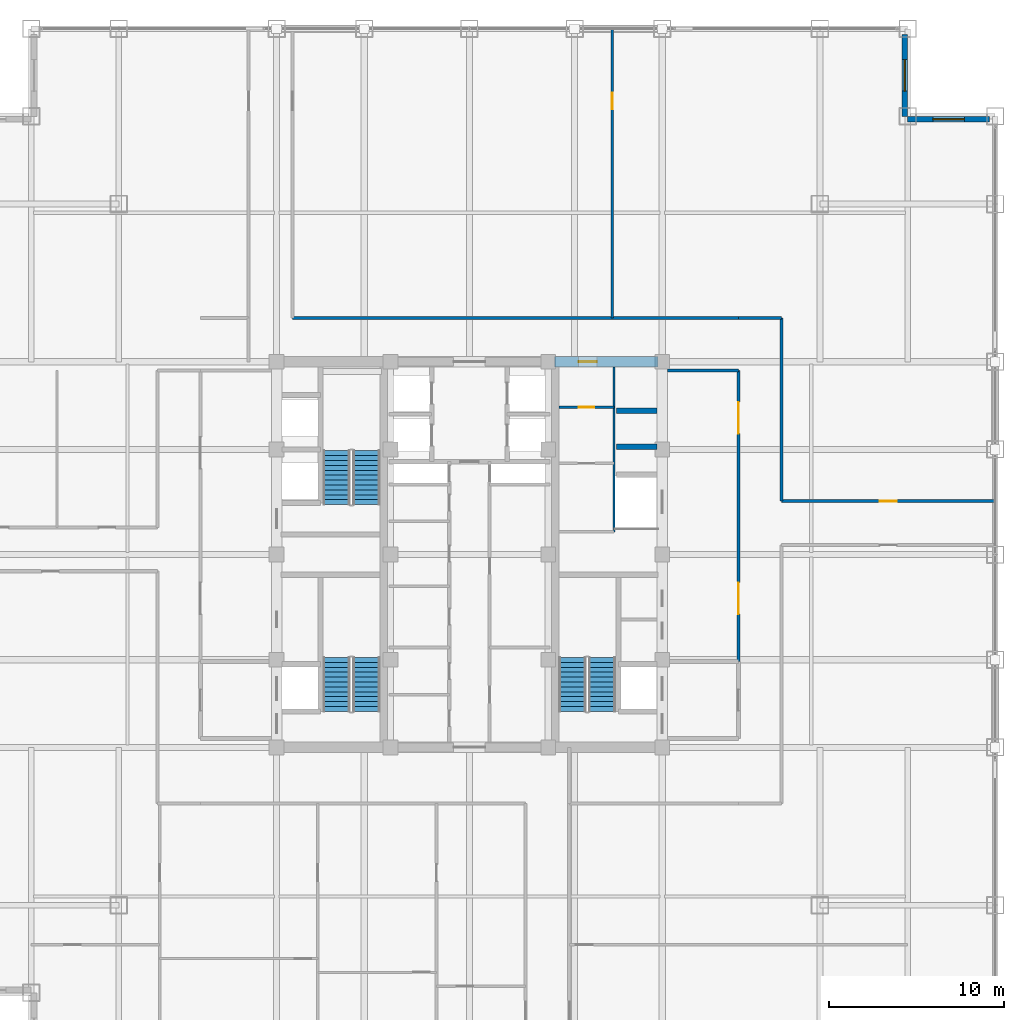
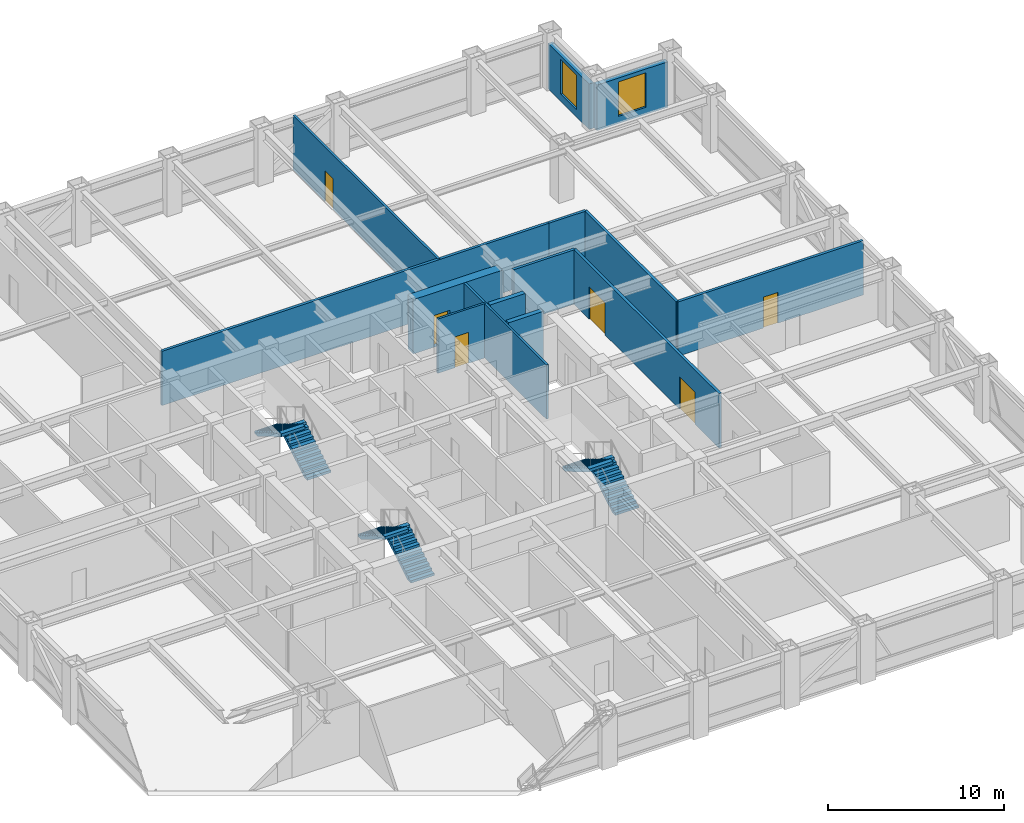
# One storey, part 23 of 24: 14 walls, 6 doors, 6 stair flights, 2 windows, 8 openings, 3 elements without a shape of their own.
"""IFC4 building model written with IfcOpenShell, lengths in metres."""

from ifc_helpers import new_model, si_unit, direction, frame, frame_2d, origin, place, context, subcontext, project, spatial, polyline, rectangle, outline, extrude, source, transform, mapped, material, layer, layer_set, type_object, element, fill, aggregate, save


model = new_model("IFC4")

# Units and contexts
model_context = context("Model", 3, precision=1e-05, world=origin(), true_north=direction((0.0, 1.0)))
body_context = subcontext(model_context, "Body", "Model", "MODEL_VIEW")
ifc_project = project(units=[si_unit("LENGTHUNIT", "METRE"), si_unit("AREAUNIT", "SQUARE_METRE"), si_unit("VOLUMEUNIT", "CUBIC_METRE"), si_unit("PLANEANGLEUNIT", "RADIAN"), si_unit("MASSUNIT", "GRAM", prefix="KILO")], contexts=[model_context])

# Site, building, storey
site_placement = place(None, origin())
site = spatial("IfcSite", under=ifc_project, at=site_placement, CompositionType="ELEMENT")
building_placement = place(site_placement, origin())
building = spatial("IfcBuilding", under=site, at=building_placement, Name="Khorayat Bourse Tower", CompositionType="ELEMENT")
storey_placement = place(building_placement, frame((0.0, 0.0, 219.10009765625)))
storey = spatial("IfcBuildingStorey", under=building, at=storey_placement, Name="L51", CompositionType="ELEMENT", Elevation=219.10009765625)

# Wall, opening, door
ifc_material_1 = material(Name="Concrete C60/75", Category="concrete")
ifc_layer_1 = layer(ifc_material_1, 0.60009765625)
ifc_layer_set_1 = layer_set([ifc_layer_1], Name="Concrete C60/75")
wall_type_1 = type_object("IfcWallType", Name="WAL-CORE-600", PredefinedType="SHEAR", material=ifc_layer_set_1)
shared_shape_1 = source(origin(), body_context, "Body", "SweptSolid", [
    extrude(rectangle(XDim=5.89990234375, YDim=0.60009765625, at=frame_2d((2.949951171875, 0.0))), origin(), (0.0, 0.0, 1.0), 3.77978515625),
])
wall_1_placement = place(storey_placement, frame((4.85009765625, 11.0, 0.0), z_axis=(0.0, 0.0, 1.0), x_axis=(1.0, 0.0, 0.0)))
wall_1 = element("IfcWall", 1, at=wall_1_placement, inside=storey, type_object=wall_type_1, Name="L51 Core Shear Wall PIER-EN", PredefinedType="SHEAR", context=body_context, shape_type="MappedRepresentation", body=[
    mapped(shared_shape_1, transform((0.0, 0.0, 0.0), scale=1.0)),
])
shared_shape_2 = source(origin(), body_context, "Body", "SweptSolid", [
    extrude(rectangle(XDim=1.050048828125, YDim=2.199951171875, at=frame_2d((0.52490234375, 1.10009765625))), frame((0.0, 0.31005859375, 0.0), z_axis=(0.0, -1.0, 0.0), x_axis=(1.0, 0.0, 0.0)), (0.0, 0.0, 1.0), 0.6201171875),
])
opening_1_placement = place(wall_1_placement, frame((1.375, 0.0, 0.0)))
opening_1 = element("IfcOpeningElement", 2, at=opening_1_placement, cuts=wall_1, Name="Opening DI-04", PredefinedType="OPENING", context=body_context, shape_type="MappedRepresentation", body=[
    mapped(shared_shape_2, transform((0.0, 0.0, 0.0), scale=1.0)),
])
ifc_material_2 = material(Name="Fire-rated oak veneer suite entrance door")
door_type_1 = type_object("IfcDoorType", Name="DR-INT-SUITE-1050", OperationType="NOTDEFINED", PredefinedType="DOOR", material=ifc_material_2)
shared_shape_3 = source(origin(), body_context, "Body", "SweptSolid", [
    extrude(rectangle(XDim=1.050048828125, YDim=2.199951171875, at=frame_2d((0.52490234375, 1.10009765625))), frame((0.0, 0.02490234375, 0.0), z_axis=(0.0, -1.0, 0.0), x_axis=(1.0, 0.0, 0.0)), (0.0, 0.0, 1.0), 0.050048828125),
])
door_1_placement = place(opening_1_placement, origin())
door_1 = element("IfcDoor", 3, at=door_1_placement, inside=storey, type_object=door_type_1, Name="L51 Core Washroom Lobby Door", OperationType="SINGLE_SWING_LEFT", OverallHeight=2.199951171875, OverallWidth=1.050048828125, PredefinedType="DOOR", context=body_context, shape_type="MappedRepresentation", body=[
    mapped(shared_shape_3, transform((0.0, 0.0, 0.0), scale=1.0)),
])
fill(opening_1, door_1)

# Wall, opening, window
ifc_material_3 = material(Name="Precast concrete C45/55", Category="concrete")
ifc_layer_2 = layer(ifc_material_3, 0.320068359375)
ifc_layer_set_2 = layer_set([ifc_layer_2], Name="Precast concrete C45/55")
wall_type_2 = type_object("IfcWallType", Name="WAL-EXT-STONE-320", PredefinedType="STANDARD", material=ifc_layer_set_2)
shared_shape_4 = source(origin(), body_context, "Body", "SweptSolid", [
    extrude(rectangle(XDim=4.679931640625, YDim=0.320068359375, at=frame_2d((2.33984375, 0.0))), origin(), (0.0, 0.0, 1.0), 3.163818359375),
])
wall_2_placement = place(storey_placement, frame((25.0, 24.840087890625, 0.0), z_axis=(0.0, 0.0, 1.0), x_axis=(1.0, 0.0, 0.0)))
wall_2 = element("IfcWall", 4, at=wall_2_placement, inside=storey, type_object=wall_type_2, Name="L51 Re-Entrant Notch Limestone Wall NE-H", PredefinedType="STANDARD", context=body_context, shape_type="MappedRepresentation", body=[
    mapped(shared_shape_4, transform((0.0, 0.0, 0.0), scale=1.0)),
])
shared_shape_5 = source(origin(), body_context, "Body", "SweptSolid", [
    extrude(rectangle(XDim=1.800048828125, YDim=2.39990234375, at=frame_2d((0.89990234375, 1.199951171875))), frame((0.0, 0.169921875, 0.0), z_axis=(0.0, -1.0, 0.0), x_axis=(1.0, 0.0, 0.0)), (0.0, 0.0, 1.0), 0.340087890625),
])
opening_2_placement = place(wall_2_placement, frame((1.43994140625, 0.0, 0.5)))
opening_2 = element("IfcOpeningElement", 5, at=opening_2_placement, cuts=wall_2, Name="Opening WN-04", PredefinedType="OPENING", context=body_context, shape_type="MappedRepresentation", body=[
    mapped(shared_shape_5, transform((0.0, 0.0, 0.0), scale=1.0)),
])
ifc_material_4 = material(Name="Low-E acoustic laminated double glazing", Category="glass")
window_type = type_object("IfcWindowType", Name="WIN-NOTCH-1800x2400", PartitioningType="SINGLE_PANEL", PredefinedType="WINDOW", material=ifc_material_4)
shared_shape_6 = source(origin(), body_context, "Body", "SweptSolid", [
    extrude(rectangle(XDim=1.800048828125, YDim=2.39990234375, at=frame_2d((0.89990234375, 1.199951171875))), frame((0.0, 0.030029296875, 0.0), z_axis=(0.0, -1.0, 0.0), x_axis=(1.0, 0.0, 0.0)), (0.0, 0.0, 1.0), 0.06005859375),
])
window_1_placement = place(opening_2_placement, origin())
window_1 = element("IfcWindow", 6, at=window_1_placement, inside=storey, type_object=window_type, Name="L51 Facade Window 1", OverallHeight=2.39990234375, OverallWidth=1.800048828125, PartitioningType="SINGLE_PANEL", PredefinedType="WINDOW", context=body_context, shape_type="MappedRepresentation", body=[
    mapped(shared_shape_6, transform((0.0, 0.0, 0.0), scale=1.0)),
])
fill(opening_2, window_1)

wall_3_placement = place(storey_placement, frame((24.840087890625, 25.0, 0.0), z_axis=(0.0, 0.0, 1.0), x_axis=(0.0, 1.0, 0.0)))
wall_3 = element("IfcWall", 7, at=wall_3_placement, inside=storey, type_object=wall_type_2, Name="L51 Re-Entrant Notch Limestone Wall NE-V", PredefinedType="STANDARD", context=body_context, shape_type="MappedRepresentation", body=[
    mapped(shared_shape_4, transform((0.0, 0.0, 0.0), scale=1.0)),
])
opening_3_placement = place(wall_3_placement, frame((1.43994140625, 0.0, 0.5)))
opening_3 = element("IfcOpeningElement", 8, at=opening_3_placement, cuts=wall_3, Name="Opening WN-04", PredefinedType="OPENING", context=body_context, shape_type="MappedRepresentation", body=[
    mapped(shared_shape_5, transform((0.0, 0.0, 0.0), scale=1.0)),
])
window_2_placement = place(opening_3_placement, origin())
window_2 = element("IfcWindow", 9, at=window_2_placement, inside=storey, type_object=window_type, Name="L51 Facade Window 1", OverallHeight=2.39990234375, OverallWidth=1.800048828125, PartitioningType="SINGLE_PANEL", PredefinedType="WINDOW", context=body_context, shape_type="MappedRepresentation", body=[
    mapped(shared_shape_6, transform((0.0, 0.0, 0.0), scale=1.0)),
])
fill(opening_3, window_2)

# Walls
ifc_material_5 = material(Name="Concrete C50/60", Category="concrete")
ifc_layer_3 = layer(ifc_material_5, 0.300048828125)
ifc_layer_set_3 = layer_set([ifc_layer_3], Name="Concrete C50/60")
wall_type_3 = type_object("IfcWallType", Name="WAL-SHAFT-300", PredefinedType="SHEAR", material=ifc_layer_set_3)
shared_shape_7 = source(origin(), body_context, "Body", "SweptSolid", [
    extrude(rectangle(XDim=2.300048828125, YDim=0.300048828125, at=frame_2d((1.14990234375, 0.0))), origin(), (0.0, 0.0, 1.0), 3.77978515625),
])
for number, where, z_axis, x_axis, name in (
    (10, (8.39990234375, 6.14990234375, 0.0), (0.0, 0.0, 1.0), (1.0, 0.0, 0.0), "L51 Partition WAL-L51-EPIER-H3S"),
    (11, (8.39990234375, 8.199951171875, 0.0), (0.0, 0.0, 1.0), (1.0, 0.0, 0.0), "L51 Partition WAL-L51-EPIER-H34"),
):
    element("IfcWall", number, at=place(storey_placement, frame(where, z_axis=z_axis, x_axis=x_axis)), inside=storey, type_object=wall_type_3, Name=name, PredefinedType="SHEAR", context=body_context, shape_type="MappedRepresentation", body=[
        mapped(shared_shape_7, transform((0.0, 0.0, 0.0), scale=1.0)),
    ])
ifc_material_6 = material(Name="Moisture-resistant masonry partition", Category="masonry")
ifc_layer_4 = layer(ifc_material_6, 0.139892578125)
ifc_layer_set_4 = layer_set([ifc_layer_4], Name="Moisture-resistant masonry partition")
wall_type_4 = type_object("IfcWallType", Name="WAL-PART-WET-140", PredefinedType="PARTITIONING", material=ifc_layer_set_4)
shared_shape_8 = source(origin(), body_context, "Body", "SweptSolid", [
    extrude(rectangle(XDim=9.39990234375, YDim=0.139892578125, at=frame_2d((4.699951171875, 0.0))), origin(), (0.0, 0.0, 1.0), 3.77978515625),
])
wall_4_placement = place(storey_placement, frame((8.25, 1.300048828125, 0.0), z_axis=(0.0, 0.0, 1.0), x_axis=(0.0, 1.0, 0.0)))
element("IfcWall", 12, at=wall_4_placement, inside=storey, type_object=wall_type_4, Name="L51 Partition WAL-L51-ECORE-E", PredefinedType="PARTITIONING", context=body_context, shape_type="MappedRepresentation", body=[
    mapped(shared_shape_8, transform((0.0, 0.0, 0.0), scale=1.0)),
])

# Wall, opening, door
shared_shape_9 = source(origin(), body_context, "Body", "SweptSolid", [
    extrude(rectangle(XDim=3.14990234375, YDim=0.139892578125, at=frame_2d((1.574951171875, 0.0))), origin(), (0.0, 0.0, 1.0), 3.77978515625),
])
wall_5_placement = place(storey_placement, frame((5.10009765625, 8.39990234375, 0.0), z_axis=(0.0, 0.0, 1.0), x_axis=(1.0, 0.0, 0.0)))
wall_5 = element("IfcWall", 13, at=wall_5_placement, inside=storey, type_object=wall_type_4, Name="L51 Partition WAL-L51-ECW-TOP", PredefinedType="PARTITIONING", context=body_context, shape_type="MappedRepresentation", body=[
    mapped(shared_shape_9, transform((0.0, 0.0, 0.0), scale=1.0)),
])
shared_shape_10 = source(origin(), body_context, "Body", "SweptSolid", [
    extrude(rectangle(XDim=0.89990234375, YDim=2.14990234375, at=frame_2d((0.449951171875, 1.074951171875))), frame((0.0, 0.079833984375, 0.0), z_axis=(0.0, -1.0, 0.0), x_axis=(1.0, 0.0, 0.0)), (0.0, 0.0, 1.0), 0.159912109375),
])
opening_4_placement = place(wall_5_placement, frame((1.1298828125, 0.0, 0.0)))
opening_4 = element("IfcOpeningElement", 14, at=opening_4_placement, cuts=wall_5, Name="Opening DI-06", PredefinedType="OPENING", context=body_context, shape_type="MappedRepresentation", body=[
    mapped(shared_shape_10, transform((0.0, 0.0, 0.0), scale=1.0)),
])
ifc_material_7 = material(Name="Moisture-resistant laminate washroom door")
door_type_2 = type_object("IfcDoorType", Name="DR-INT-WC-900", OperationType="NOTDEFINED", PredefinedType="DOOR", material=ifc_material_7)
shared_shape_11 = source(origin(), body_context, "Body", "SweptSolid", [
    extrude(rectangle(XDim=0.89990234375, YDim=2.14990234375, at=frame_2d((0.449951171875, 1.074951171875))), frame((0.0, 0.02490234375, 0.0), z_axis=(0.0, -1.0, 0.0), x_axis=(1.0, 0.0, 0.0)), (0.0, 0.0, 1.0), 0.050048828125),
])
door_2_placement = place(opening_4_placement, origin())
door_2 = element("IfcDoor", 15, at=door_2_placement, inside=storey, type_object=door_type_2, Name="L51 Accessible WC Door", OperationType="SINGLE_SWING_LEFT", OverallHeight=2.14990234375, OverallWidth=0.89990234375, PredefinedType="DOOR", context=body_context, shape_type="MappedRepresentation", body=[
    mapped(shared_shape_11, transform((0.0, 0.0, 0.0), scale=1.0)),
])
fill(opening_4, door_2)

# Wall
ifc_material_8 = material(Name="Gypsum plasterboard acoustic stud wall")
ifc_layer_5 = layer(ifc_material_8, 0.179931640625)
ifc_layer_set_5 = layer_set([ifc_layer_5], Name="Gypsum plasterboard acoustic stud wall")
wall_type_5 = type_object("IfcWallType", Name="WAL-PART-CORR-180", PredefinedType="PARTITIONING", material=ifc_layer_set_5)
shared_shape_12 = source(origin(), body_context, "Body", "SweptSolid", [
    extrude(rectangle(XDim=4.050048828125, YDim=0.179931640625, at=frame_2d((2.02490234375, 0.0))), origin(), (0.0, 0.0, 1.0), 3.77978515625),
])
wall_6_placement = place(storey_placement, frame((11.300048828125, 10.5, 0.0), z_axis=(0.0, 0.0, 1.0), x_axis=(1.0, 0.0, 0.0)))
element("IfcWall", 16, at=wall_6_placement, inside=storey, type_object=wall_type_5, Name="L51 Partition WAL-L51-ELOB-N", PredefinedType="PARTITIONING", context=body_context, shape_type="MappedRepresentation", body=[
    mapped(shared_shape_12, transform((0.0, 0.0, 0.0), scale=1.0)),
])

# Wall, openings, doors
shared_shape_13 = source(origin(), body_context, "Body", "SweptSolid", [
    extrude(rectangle(XDim=16.60009765625, YDim=0.179931640625, at=frame_2d((8.300048828125, 0.0))), origin(), (0.0, 0.0, 1.0), 3.77978515625),
])
wall_7_placement = place(storey_placement, frame((15.35009765625, -6.10009765625, 0.0), z_axis=(0.0, 0.0, 1.0), x_axis=(0.0, 1.0, 0.0)))
wall_7 = element("IfcWall", 17, at=wall_7_placement, inside=storey, type_object=wall_type_5, Name="L51 Partition WAL-L51-ELOB-E", PredefinedType="PARTITIONING", context=body_context, shape_type="MappedRepresentation", body=[
    mapped(shared_shape_13, transform((0.0, 0.0, 0.0), scale=1.0)),
])
shared_shape_14 = source(origin(), body_context, "Body", "SweptSolid", [
    extrude(rectangle(XDim=1.800048828125, YDim=2.25, at=frame_2d((0.89990234375, 1.125))), frame((0.0, 0.099853515625, 0.0), z_axis=(0.0, -1.0, 0.0), x_axis=(1.0, 0.0, 0.0)), (0.0, 0.0, 1.0), 0.199951171875),
])
opening_5_placement = place(wall_7_placement, frame((2.699951171875, 0.0, 0.0)))
opening_5 = element("IfcOpeningElement", 18, at=opening_5_placement, cuts=wall_7, Name="Opening DI-03", PredefinedType="OPENING", context=body_context, shape_type="MappedRepresentation", body=[
    mapped(shared_shape_14, transform((0.0, 0.0, 0.0), scale=1.0)),
])
opening_6_placement = place(wall_7_placement, frame((13.0, 0.0, 0.0)))
opening_6 = element("IfcOpeningElement", 19, at=opening_6_placement, cuts=wall_7, Name="Opening DI-03", PredefinedType="OPENING", context=body_context, shape_type="MappedRepresentation", body=[
    mapped(shared_shape_14, transform((0.0, 0.0, 0.0), scale=1.0)),
])
ifc_material_9 = material(Name="Fire-rated hardwood vision-panel double leaf", Category="wood")
door_type_3 = type_object("IfcDoorType", Name="DR-INT-CORR-1800", OperationType="NOTDEFINED", PredefinedType="DOOR", material=ifc_material_9)
shared_shape_15 = source(origin(), body_context, "Body", "SweptSolid", [
    extrude(rectangle(XDim=1.800048828125, YDim=2.25, at=frame_2d((0.89990234375, 1.125))), frame((0.0, 0.02490234375, 0.0), z_axis=(0.0, -1.0, 0.0), x_axis=(1.0, 0.0, 0.0)), (0.0, 0.0, 1.0), 0.050048828125),
])
door_3_placement = place(opening_5_placement, origin())
door_3 = element("IfcDoor", 20, at=door_3_placement, inside=storey, type_object=door_type_3, Name="L51 East Core Lobby South Door", OperationType="SINGLE_SWING_RIGHT", OverallHeight=2.25, OverallWidth=1.800048828125, PredefinedType="DOOR", context=body_context, shape_type="MappedRepresentation", body=[
    mapped(shared_shape_15, transform((0.0, 0.0, 0.0), scale=1.0)),
])
fill(opening_5, door_3)
door_4_placement = place(opening_6_placement, origin())
door_4 = element("IfcDoor", 21, at=door_4_placement, inside=storey, type_object=door_type_3, Name="L51 East Core Lobby North Door", OperationType="SINGLE_SWING_LEFT", OverallHeight=2.25, OverallWidth=1.800048828125, PredefinedType="DOOR", context=body_context, shape_type="MappedRepresentation", body=[
    mapped(shared_shape_15, transform((0.0, 0.0, 0.0), scale=1.0)),
])
fill(opening_6, door_4)

# Wall
shared_shape_16 = source(origin(), body_context, "Body", "SweptSolid", [
    extrude(rectangle(XDim=2.449951171875, YDim=0.179931640625, at=frame_2d((1.22509765625, 0.0))), origin(), (0.0, 0.0, 1.0), 3.77978515625),
])
wall_8_placement = place(storey_placement, frame((15.35009765625, 13.5, 0.0), z_axis=(0.0, 0.0, 1.0), x_axis=(1.0, 0.0, 0.0)))
element("IfcWall", 22, at=wall_8_placement, inside=storey, type_object=wall_type_5, Name="L51 Partition WAL-L51-C2-EN", PredefinedType="PARTITIONING", context=body_context, shape_type="MappedRepresentation", body=[
    mapped(shared_shape_16, transform((0.0, 0.0, 0.0), scale=1.0)),
])

# Wall, opening, door
ifc_material_10 = material(Name="Gypsum plasterboard twin-frame partition")
ifc_layer_6 = layer(ifc_material_10, 0.14990234375)
ifc_layer_set_6 = layer_set([ifc_layer_6], Name="Gypsum plasterboard twin-frame partition")
wall_type_6 = type_object("IfcWallType", Name="WAL-PART-SUITE-150", PredefinedType="PARTITIONING", material=ifc_layer_set_6)
shared_shape_17 = source(origin(), body_context, "Body", "SweptSolid", [
    extrude(rectangle(XDim=16.5, YDim=0.14990234375, at=frame_2d((8.25, 0.0))), origin(), (0.0, 0.0, 1.0), 3.77978515625),
])
wall_9_placement = place(storey_placement, frame((8.152099609375, 13.5, 0.0), z_axis=(0.0, 0.0, 1.0), x_axis=(0.0, 1.0, 0.0)))
wall_9 = element("IfcWall", 23, at=wall_9_placement, inside=storey, type_object=wall_type_6, Name="L51 Partition WAL-L51-QNEDV-1", PredefinedType="PARTITIONING", context=body_context, shape_type="MappedRepresentation", body=[
    mapped(shared_shape_17, transform((0.0, 0.0, 0.0), scale=1.0)),
])
shared_shape_18 = source(origin(), body_context, "Body", "SweptSolid", [
    extrude(rectangle(XDim=0.949951171875, YDim=2.14990234375, at=frame_2d((0.47509765625, 1.074951171875))), frame((0.0, 0.0849609375, 0.0), z_axis=(0.0, -1.0, 0.0), x_axis=(1.0, 0.0, 0.0)), (0.0, 0.0, 1.0), 0.169921875),
])
opening_7_placement = place(wall_9_placement, frame((11.89990234375, 0.0, 0.0)))
opening_7 = element("IfcOpeningElement", 24, at=opening_7_placement, cuts=wall_9, Name="Opening DI-05", PredefinedType="OPENING", context=body_context, shape_type="MappedRepresentation", body=[
    mapped(shared_shape_18, transform((0.0, 0.0, 0.0), scale=1.0)),
])
ifc_material_11 = material(Name="Acoustic oak veneer office door")
door_type_4 = type_object("IfcDoorType", Name="DR-INT-OFFICE-950", OperationType="NOTDEFINED", PredefinedType="DOOR", material=ifc_material_11)
shared_shape_19 = source(origin(), body_context, "Body", "SweptSolid", [
    extrude(rectangle(XDim=0.949951171875, YDim=2.14990234375, at=frame_2d((0.47509765625, 1.074951171875))), frame((0.0, 0.02490234375, 0.0), z_axis=(0.0, -1.0, 0.0), x_axis=(1.0, 0.0, 0.0)), (0.0, 0.0, 1.0), 0.050048828125),
])
door_5_placement = place(opening_7_placement, origin())
door_5 = element("IfcDoor", 25, at=door_5_placement, inside=storey, type_object=door_type_4, Name="L51 North-East Suite Link 1", OperationType="SINGLE_SWING_RIGHT", OverallHeight=2.14990234375, OverallWidth=0.949951171875, PredefinedType="DOOR", context=body_context, shape_type="MappedRepresentation", body=[
    mapped(shared_shape_19, transform((0.0, 0.0, 0.0), scale=1.0)),
])
fill(opening_7, door_5)

shared_shape_20 = source(origin(), body_context, "Body", "SweptSolid", [
    extrude(rectangle(XDim=12.199951171875, YDim=0.179931640625, at=frame_2d((6.10009765625, 0.0))), origin(), (0.0, 0.0, 1.0), 3.77978515625),
])
wall_10_placement = place(storey_placement, frame((17.800048828125, 3.050048828125, 0.0), z_axis=(0.0, 0.0, 1.0), x_axis=(1.0, 0.0, 0.0)))
wall_10 = element("IfcWall", 26, at=wall_10_placement, inside=storey, type_object=wall_type_5, Name="L51 Partition WAL-L51-EN-SPK", PredefinedType="PARTITIONING", context=body_context, shape_type="MappedRepresentation", body=[
    mapped(shared_shape_20, transform((0.0, 0.0, 0.0), scale=1.0)),
])
shared_shape_21 = source(origin(), body_context, "Body", "SweptSolid", [
    extrude(rectangle(XDim=0.949951171875, YDim=2.14990234375, at=frame_2d((0.47509765625, 1.074951171875))), frame((0.0, 0.099853515625, 0.0), z_axis=(0.0, -1.0, 0.0), x_axis=(1.0, 0.0, 0.0)), (0.0, 0.0, 1.0), 0.199951171875),
])
opening_8_placement = place(wall_10_placement, frame((5.625, 0.0, 0.0)))
opening_8 = element("IfcOpeningElement", 27, at=opening_8_placement, cuts=wall_10, Name="Opening DI-05", PredefinedType="OPENING", context=body_context, shape_type="MappedRepresentation", body=[
    mapped(shared_shape_21, transform((0.0, 0.0, 0.0), scale=1.0)),
])
door_6_placement = place(opening_8_placement, origin())
door_6 = element("IfcDoor", 28, at=door_6_placement, inside=storey, type_object=door_type_4, Name="L51 Market Reference Library EN Door", OperationType="SINGLE_SWING_LEFT", OverallHeight=2.14990234375, OverallWidth=0.949951171875, PredefinedType="DOOR", context=body_context, shape_type="MappedRepresentation", body=[
    mapped(shared_shape_19, transform((0.0, 0.0, 0.0), scale=1.0)),
])
fill(opening_8, door_6)

# Walls
shared_shape_22 = source(origin(), body_context, "Body", "SweptSolid", [
    extrude(rectangle(XDim=25.4501953125, YDim=0.179931640625, at=frame_2d((12.72509765625, 0.0))), origin(), (0.0, 0.0, 1.0), 3.77978515625),
])
wall_11_placement = place(storey_placement, frame((-10.10009765625, 13.5, 0.0), z_axis=(0.0, 0.0, 1.0), x_axis=(1.0, 0.0, 0.0)))
element("IfcWall", 29, at=wall_11_placement, inside=storey, type_object=wall_type_5, Name="L51 Partition WAL-L51-QNE-HC", PredefinedType="PARTITIONING", context=body_context, shape_type="MappedRepresentation", body=[
    mapped(shared_shape_22, transform((0.0, 0.0, 0.0), scale=1.0)),
])
shared_shape_23 = source(origin(), body_context, "Body", "SweptSolid", [
    extrude(rectangle(XDim=10.449951171875, YDim=0.179931640625, at=frame_2d((5.22509765625, 0.0))), origin(), (0.0, 0.0, 1.0), 3.77978515625),
])
wall_12_placement = place(storey_placement, frame((17.800048828125, 3.050048828125, 0.0), z_axis=(0.0, 0.0, 1.0), x_axis=(0.0, 1.0, 0.0)))
element("IfcWall", 30, at=wall_12_placement, inside=storey, type_object=wall_type_5, Name="L51 Partition WAL-L51-EN-IN", PredefinedType="PARTITIONING", context=body_context, shape_type="MappedRepresentation", body=[
    mapped(shared_shape_23, transform((0.0, 0.0, 0.0), scale=1.0)),
])

# Stair, stair flights
ifc_material_12 = material(Name="Concrete C40/50", Category="concrete")
stair_type = type_object("IfcStairType", Name="STR-CORE-1550", PredefinedType="HALF_TURN_STAIR", material=ifc_material_12)
stair_1_placement = place(storey_placement, origin())
stair_1 = element("IfcStair", 31, at=stair_1_placement, inside=storey, type_object=stair_type, Name="L51 Exit Stair ST-1", PredefinedType="HALF_TURN_STAIR")
stair_flight_type = type_object("IfcStairFlightType", Name="FLT-CORE-1550", PredefinedType="STRAIGHT", material=ifc_material_12)
shared_shape_24 = source(origin(), body_context, "Body", "SweptSolid", [
    extrude(outline(polyline([(0.0, 0.0), (0.0, 0.166748046875), (0.280029296875, 0.166748046875), (0.280029296875, 0.333251953125), (0.56005859375, 0.333251953125), (0.56005859375, 0.5), (0.840087890625, 0.5), (0.840087890625, 0.666748046875), (1.1201171875, 0.666748046875), (1.1201171875, 0.833251953125), (1.39990234375, 0.833251953125), (1.39990234375, 1.0), (1.679931640625, 1.0), (1.679931640625, 1.166748046875), (1.9599609375, 1.166748046875), (1.9599609375, 1.333251953125), (2.239990234375, 1.333251953125), (2.239990234375, 1.5), (2.52001953125, 1.5), (2.52001953125, 1.666748046875), (2.800048828125, 1.666748046875), (2.800048828125, 1.833251953125), (3.080078125, 1.833251953125), (3.080078125, 2.0), (3.080078125, 1.6240234375), (0.351806640625, 0.0), (0.0, 0.0)])), frame((0.0, 0.77490234375, 0.0), z_axis=(0.0, -1.0, 0.0), x_axis=(1.0, 0.0, 0.0)), (0.0, 0.0, 1.0), 1.550048828125),
])
stair_flight_1_placement = place(storey_placement, frame((-5.875, -8.949951171875, 0.0), z_axis=(0.0, 0.0, 1.0), x_axis=(0.0, 1.0, 0.0)))
stair_flight_1 = element("IfcStairFlight", 32, at=stair_flight_1_placement, type_object=stair_flight_type, Name="ST-1 flight 1", NumberOfRisers=12, NumberOfTreads=11, PredefinedType="STRAIGHT", RiserHeight=0.166666667, TreadLength=0.28, context=body_context, shape_type="MappedRepresentation", body=[
    mapped(shared_shape_24, transform((0.0, 0.0, 0.0), scale=1.0)),
])
stair_flight_2_placement = place(storey_placement, frame((-7.574951171875, -5.8701171875, 2.0), z_axis=(0.0, 0.0, 1.0), x_axis=(0.0, -1.0, 0.0)))
stair_flight_2 = element("IfcStairFlight", 33, at=stair_flight_2_placement, type_object=stair_flight_type, Name="ST-1 flight 2", NumberOfRisers=12, NumberOfTreads=11, PredefinedType="STRAIGHT", RiserHeight=0.166666667, TreadLength=0.28, context=body_context, shape_type="MappedRepresentation", body=[
    mapped(shared_shape_24, transform((0.0, 0.0, 0.0), scale=1.0)),
])
aggregate(stair_1, [stair_flight_1, stair_flight_2])

stair_2_placement = place(storey_placement, origin())
stair_2 = element("IfcStair", 34, at=stair_2_placement, inside=storey, type_object=stair_type, Name="L51 Exit Stair ST-2", PredefinedType="HALF_TURN_STAIR")
stair_flight_3_placement = place(storey_placement, frame((-5.875, 2.85009765625, 0.0), z_axis=(0.0, 0.0, 1.0), x_axis=(0.0, 1.0, 0.0)))
stair_flight_3 = element("IfcStairFlight", 35, at=stair_flight_3_placement, type_object=stair_flight_type, Name="ST-2 flight 1", NumberOfRisers=12, NumberOfTreads=11, PredefinedType="STRAIGHT", RiserHeight=0.166666667, TreadLength=0.28, context=body_context, shape_type="MappedRepresentation", body=[
    mapped(shared_shape_24, transform((0.0, 0.0, 0.0), scale=1.0)),
])
stair_flight_4_placement = place(storey_placement, frame((-7.574951171875, 5.929931640625, 2.0), z_axis=(0.0, 0.0, 1.0), x_axis=(0.0, -1.0, 0.0)))
stair_flight_4 = element("IfcStairFlight", 36, at=stair_flight_4_placement, type_object=stair_flight_type, Name="ST-2 flight 2", NumberOfRisers=12, NumberOfTreads=11, PredefinedType="STRAIGHT", RiserHeight=0.166666667, TreadLength=0.28, context=body_context, shape_type="MappedRepresentation", body=[
    mapped(shared_shape_24, transform((0.0, 0.0, 0.0), scale=1.0)),
])
aggregate(stair_2, [stair_flight_3, stair_flight_4])

stair_3_placement = place(storey_placement, origin())
stair_3 = element("IfcStair", 37, at=stair_3_placement, inside=storey, type_object=stair_type, Name="L51 Exit Stair ST-3", PredefinedType="HALF_TURN_STAIR")
stair_flight_5_placement = place(storey_placement, frame((7.574951171875, -8.949951171875, 0.0), z_axis=(0.0, 0.0, 1.0), x_axis=(0.0, 1.0, 0.0)))
stair_flight_5 = element("IfcStairFlight", 38, at=stair_flight_5_placement, type_object=stair_flight_type, Name="ST-3 flight 1", NumberOfRisers=12, NumberOfTreads=11, PredefinedType="STRAIGHT", RiserHeight=0.166666667, TreadLength=0.28, context=body_context, shape_type="MappedRepresentation", body=[
    mapped(shared_shape_24, transform((0.0, 0.0, 0.0), scale=1.0)),
])
stair_flight_6_placement = place(storey_placement, frame((5.875, -5.8701171875, 2.0), z_axis=(0.0, 0.0, 1.0), x_axis=(0.0, -1.0, 0.0)))
stair_flight_6 = element("IfcStairFlight", 39, at=stair_flight_6_placement, type_object=stair_flight_type, Name="ST-3 flight 2", NumberOfRisers=12, NumberOfTreads=11, PredefinedType="STRAIGHT", RiserHeight=0.166666667, TreadLength=0.28, context=body_context, shape_type="MappedRepresentation", body=[
    mapped(shared_shape_24, transform((0.0, 0.0, 0.0), scale=1.0)),
])
aggregate(stair_3, [stair_flight_5, stair_flight_6])

save(model, "model.ifc")
